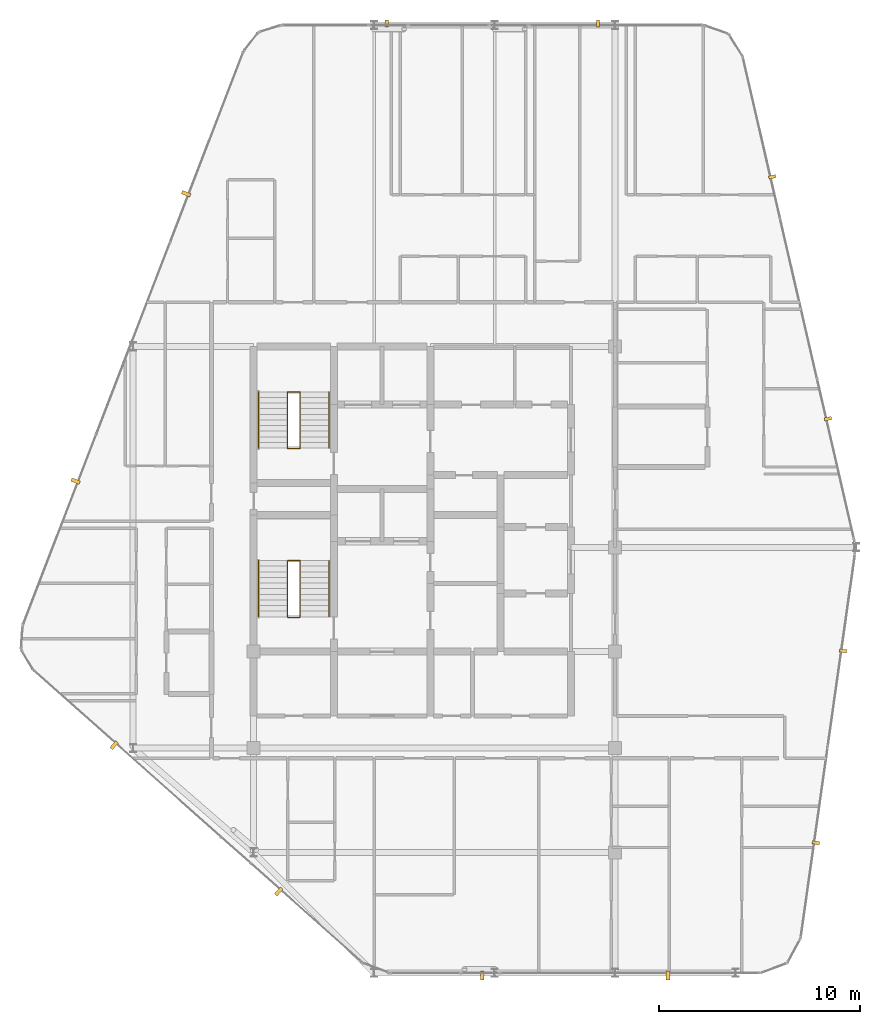
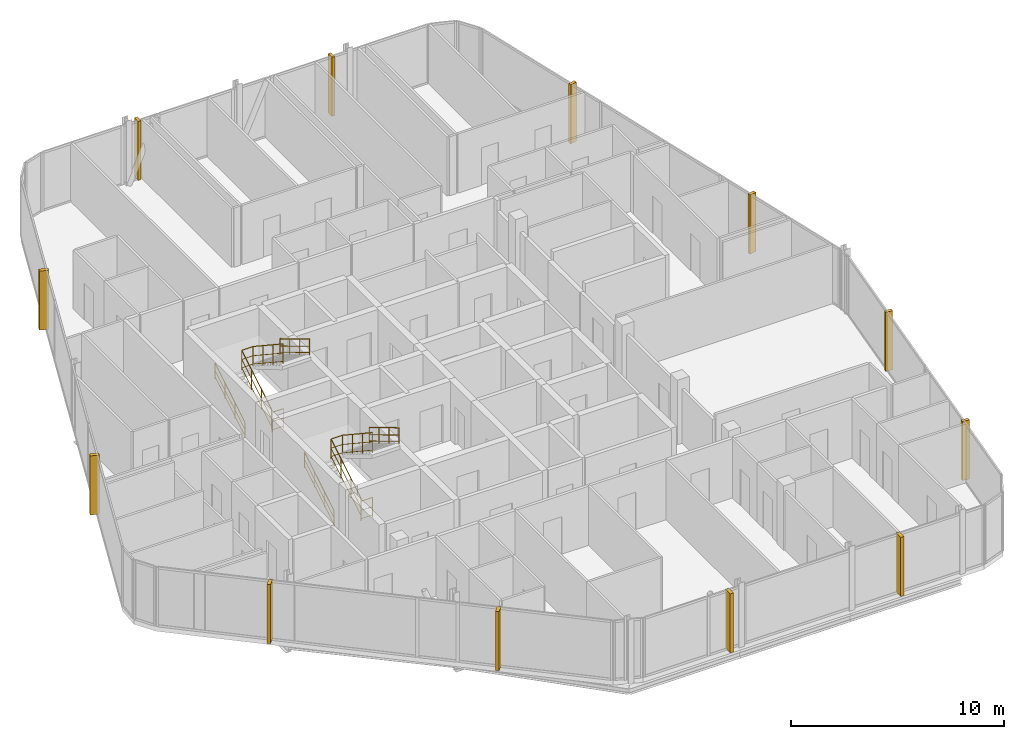
# One storey, part 28 of 28: 12 coverings, 8 railings.
"""IFC4 building model written with IfcOpenShell, lengths in metres."""

from ifc_helpers import new_model, si_unit, direction, frame, origin, origin_2d, place, context, subcontext, project, spatial, rectangle, circle, extrude, material, layer, layer_set, type_object, element, save


model = new_model("IFC4")

# Units and contexts
model_context = context("Model", 3, precision=1e-05, world=origin(), true_north=direction((0.0, 1.0)))
body_context = subcontext(model_context, "Body", "Model", "MODEL_VIEW")
ifc_project = project(units=[si_unit("LENGTHUNIT", "METRE"), si_unit("AREAUNIT", "SQUARE_METRE"), si_unit("VOLUMEUNIT", "CUBIC_METRE"), si_unit("PLANEANGLEUNIT", "RADIAN"), si_unit("MASSUNIT", "GRAM", prefix="KILO")], contexts=[model_context])

# Site, building, storey
site_placement = place(None, origin())
site = spatial("IfcSite", under=ifc_project, at=site_placement, CompositionType="ELEMENT")
building_placement = place(site_placement, origin())
building = spatial("IfcBuilding", under=site, at=building_placement, Name="Keshet Zoharim Tower", CompositionType="ELEMENT")
storey_placement = place(building_placement, frame((0.0, 0.0, 303.60009765625)))
storey = spatial("IfcBuildingStorey", under=building, at=storey_placement, Name="L76", CompositionType="ELEMENT", Elevation=303.60009765625)

# Coverings
ifc_material_1 = material(Name="Concrete C50/60 precast", Category="concrete")
covering_type_1 = type_object("IfcCoveringType", Name="FIN-SOL-360", PredefinedType="CLADDING", material=ifc_material_1)
for number, where, z_axis, x_axis, name in (
    (1, (21.633056640625, 53.97998046875, 0.0), (0.0, 0.0, 1.0), (1.0, 0.0, 0.0), "L76 Vertical Precast Solar Fin 03"),
    (2, (32.14990234375, 53.97998046875, 0.0), (0.0, 0.0, 1.0), (1.0, 0.0, 0.0), "L76 Vertical Precast Solar Fin 04"),
    (3, (40.824951171875, 46.345947265625, 0.0), (0.0, 0.0, 1.0), (0.224829963294, -0.974398012932, 0.0), "L76 Vertical Precast Solar Fin 05"),
    (4, (43.60400390625, 34.302001953125, 0.0), (0.0, 0.0, 1.0), (0.224829963294, -0.974398012932, 0.0), "L76 Vertical Precast Solar Fin 06"),
    (5, (44.35107421875, 22.742919921875, 0.0), (0.0, 0.0, 1.0), (-0.140137464177, -0.990132057422, 0.0), "L76 Vertical Precast Solar Fin 07"),
    (6, (42.998046875, 13.18701171875, 0.0), (0.0, 0.0, 1.0), (-0.140137464177, -0.990132057422, 0.0), "L76 Vertical Precast Solar Fin 08"),
):
    element("IfcCovering", number, at=place(storey_placement, frame(where, z_axis=z_axis, x_axis=x_axis)), inside=storey, type_object=covering_type_1, Name=name, PredefinedType="CLADDING", context=body_context, shape_type="SweptSolid", body=[
        extrude(rectangle(XDim=0.159912109375, YDim=0.360107421875, at=origin_2d()), origin(), (0.0, 0.0, 1.0), 3.389892578125),
    ])
covering_type_2 = type_object("IfcCoveringType", Name="FIN-SOL-450", PredefinedType="CLADDING", material=ifc_material_1)
for number, where, z_axis, x_axis, name in (
    (7, (6.133056640625, 31.194091796875, 0.0), (0.0, 0.0, 1.0), (0.358990003907, 0.933341404361, 0.0), "L76 Vertical Precast Solar Fin 01"),
    (8, (11.637939453125, 45.507080078125, 0.0), (0.0, 0.0, 1.0), (0.358990003907, 0.933341404361, 0.0), "L76 Vertical Precast Solar Fin 02"),
    (9, (35.636962890625, 6.574951171875, 0.0), (0.0, 0.0, 1.0), (-1.0, 0.0, 0.0), "L76 Vertical Precast Solar Fin 09"),
    (10, (26.385986328125, 6.574951171875, 0.0), (0.0, 0.0, 1.0), (-1.0, 0.0, 0.0), "L76 Vertical Precast Solar Fin 10"),
    (11, (16.25, 10.7548828125, 0.0), (0.0, 0.0, 1.0), (-0.747411833563, 0.66436100958, 0.0), "L76 Vertical Precast Solar Fin 11"),
    (12, (8.051025390625, 18.04296875, 0.0), (0.0, 0.0, 1.0), (-0.747411833563, 0.66436100958, 0.0), "L76 Vertical Precast Solar Fin 12"),
):
    element("IfcCovering", number, at=place(storey_placement, frame(where, z_axis=z_axis, x_axis=x_axis)), inside=storey, type_object=covering_type_2, Name=name, PredefinedType="CLADDING", context=body_context, shape_type="SweptSolid", body=[
        extrude(rectangle(XDim=0.179931640625, YDim=0.449951171875, at=origin_2d()), origin(), (0.0, 0.0, 1.0), 3.389892578125),
    ])

# Railings
ifc_material_2 = material(Name="Steel S355", Category="steel")
ifc_layer_1 = layer(ifc_material_2, 0.050048828125)
ifc_layer_set_1 = layer_set([ifc_layer_1], Name="Steel S355")
railing_type_1 = type_object("IfcRailingType", Name="RL-HND-092", PredefinedType="HANDRAIL", material=ifc_layer_set_1)
railing_1_placement = place(storey_placement, frame((15.239990234375, 24.43994140625, 0.168212890625)))
element("IfcRailing", 13, at=railing_1_placement, inside=storey, type_object=railing_type_1, Name="L76 ST-01 Flight 1 Wall Handrail", PredefinedType="HANDRAIL", context=body_context, shape_type="SweptSolid", body=[
    extrude(circle(Radius=0.02392578125, at=origin_2d()), frame((0.0, 0.0, 0.89599609375), z_axis=(0.0, 0.857275202839, 0.514858452973), x_axis=(-1.0, 0.0, 0.0)), (0.0, 0.0, 1.0), 3.26611328125),
    extrude(circle(Radius=0.01611328125, at=origin_2d()), frame((0.0, 0.0, 0.478271484375), z_axis=(0.0, 0.857275202839, 0.514858452973), x_axis=(-1.0, 0.0, 0.0)), (0.0, 0.0, 1.0), 3.26611328125),
    extrude(circle(Radius=0.01611328125, at=origin_2d()), frame((0.0, 0.0, 0.1201171875), z_axis=(0.0, 0.857275202839, 0.514858452973), x_axis=(-1.0, 0.0, 0.0)), (0.0, 0.0, 1.0), 3.26611328125),
    extrude(circle(Radius=0.02099609375, at=origin_2d()), origin(), (0.0, 0.0, 1.0), 0.871826171875),
    extrude(circle(Radius=0.02099609375, at=origin_2d()), frame((0.0, 0.933349609375, 0.560546875)), (0.0, 0.0, 1.0), 0.871826171875),
    extrude(circle(Radius=0.02099609375, at=origin_2d()), frame((0.0, 1.86669921875, 1.12109375)), (0.0, 0.0, 1.0), 0.871826171875),
    extrude(circle(Radius=0.02099609375, at=origin_2d()), frame((0.0, 2.800048828125, 1.681640625)), (0.0, 0.0, 1.0), 0.871826171875),
])
railing_2_placement = place(storey_placement, frame((18.760009765625, 27.239990234375, 2.01806640625)))
element("IfcRailing", 14, at=railing_2_placement, inside=storey, type_object=railing_type_1, Name="L76 ST-01 Flight 2 Wall Handrail", PredefinedType="HANDRAIL", context=body_context, shape_type="SweptSolid", body=[
    extrude(circle(Radius=0.02392578125, at=origin_2d()), frame((0.0, 0.0, 0.89599609375), z_axis=(0.0, -0.857242210791, 0.514913383045), x_axis=(1.0, 0.0, 0.0)), (0.0, 0.0, 1.0), 3.266357421875),
    extrude(circle(Radius=0.01611328125, at=origin_2d()), frame((0.0, 0.0, 0.478271484375), z_axis=(0.0, -0.857242210791, 0.514913383045), x_axis=(1.0, 0.0, 0.0)), (0.0, 0.0, 1.0), 3.266357421875),
    extrude(circle(Radius=0.01611328125, at=origin_2d()), frame((0.0, 0.0, 0.1201171875), z_axis=(0.0, -0.857242210791, 0.514913383045), x_axis=(1.0, 0.0, 0.0)), (0.0, 0.0, 1.0), 3.266357421875),
    extrude(circle(Radius=0.02099609375, at=origin_2d()), origin(), (0.0, 0.0, 1.0), 0.871826171875),
    extrude(circle(Radius=0.02099609375, at=origin_2d()), frame((0.0, -0.933349609375, 0.560546875)), (0.0, 0.0, 1.0), 0.871826171875),
    extrude(circle(Radius=0.02099609375, at=origin_2d()), frame((0.0, -1.86669921875, 1.121337890625)), (0.0, 0.0, 1.0), 0.871826171875),
    extrude(circle(Radius=0.02099609375, at=origin_2d()), frame((0.0, -2.800048828125, 1.681884765625)), (0.0, 0.0, 1.0), 0.871826171875),
])
railing_3_placement = place(storey_placement, frame((15.239990234375, 32.840087890625, 0.168212890625)))
element("IfcRailing", 15, at=railing_3_placement, inside=storey, type_object=railing_type_1, Name="L76 ST-02 Flight 1 Wall Handrail", PredefinedType="HANDRAIL", context=body_context, shape_type="SweptSolid", body=[
    extrude(circle(Radius=0.02392578125, at=origin_2d()), frame((0.0, 0.0, 0.89599609375), z_axis=(0.0, 0.857255387014, 0.514891446264), x_axis=(-1.0, 0.0, 0.0)), (0.0, 0.0, 1.0), 3.26611328125),
    extrude(circle(Radius=0.01611328125, at=origin_2d()), frame((0.0, 0.0, 0.478271484375), z_axis=(0.0, 0.857255387014, 0.514891446264), x_axis=(-1.0, 0.0, 0.0)), (0.0, 0.0, 1.0), 3.26611328125),
    extrude(circle(Radius=0.01611328125, at=origin_2d()), frame((0.0, 0.0, 0.1201171875), z_axis=(0.0, 0.857255387014, 0.514891446264), x_axis=(-1.0, 0.0, 0.0)), (0.0, 0.0, 1.0), 3.26611328125),
    extrude(circle(Radius=0.02099609375, at=origin_2d()), origin(), (0.0, 0.0, 1.0), 0.871826171875),
    extrude(circle(Radius=0.02099609375, at=origin_2d()), frame((0.0, 0.933349609375, 0.560546875)), (0.0, 0.0, 1.0), 0.871826171875),
    extrude(circle(Radius=0.02099609375, at=origin_2d()), frame((0.0, 1.866455078125, 1.12109375)), (0.0, 0.0, 1.0), 0.871826171875),
    extrude(circle(Radius=0.02099609375, at=origin_2d()), frame((0.0, 2.7998046875, 1.681640625)), (0.0, 0.0, 1.0), 0.871826171875),
])
railing_4_placement = place(storey_placement, frame((18.760009765625, 35.639892578125, 2.01806640625)))
element("IfcRailing", 16, at=railing_4_placement, inside=storey, type_object=railing_type_1, Name="L76 ST-02 Flight 2 Wall Handrail", PredefinedType="HANDRAIL", context=body_context, shape_type="SweptSolid", body=[
    extrude(circle(Radius=0.02392578125, at=origin_2d()), frame((0.0, 0.0, 0.89599609375), z_axis=(0.0, -0.857222391501, 0.514946377315), x_axis=(1.0, 0.0, 0.0)), (0.0, 0.0, 1.0), 3.26611328125),
    extrude(circle(Radius=0.01611328125, at=origin_2d()), frame((0.0, 0.0, 0.478271484375), z_axis=(0.0, -0.857222391501, 0.514946377315), x_axis=(1.0, 0.0, 0.0)), (0.0, 0.0, 1.0), 3.26611328125),
    extrude(circle(Radius=0.01611328125, at=origin_2d()), frame((0.0, 0.0, 0.1201171875), z_axis=(0.0, -0.857222391501, 0.514946377315), x_axis=(1.0, 0.0, 0.0)), (0.0, 0.0, 1.0), 3.26611328125),
    extrude(circle(Radius=0.02099609375, at=origin_2d()), origin(), (0.0, 0.0, 1.0), 0.871826171875),
    extrude(circle(Radius=0.02099609375, at=origin_2d()), frame((0.0, -0.933349609375, 0.560546875)), (0.0, 0.0, 1.0), 0.871826171875),
    extrude(circle(Radius=0.02099609375, at=origin_2d()), frame((0.0, -1.866455078125, 1.121337890625)), (0.0, 0.0, 1.0), 0.871826171875),
    extrude(circle(Radius=0.02099609375, at=origin_2d()), frame((0.0, -2.7998046875, 1.681884765625)), (0.0, 0.0, 1.0), 0.871826171875),
])
ifc_layer_2 = layer(ifc_material_2, 0.06005859375)
ifc_layer_set_2 = layer_set([ifc_layer_2], Name="Steel S355")
railing_type_2 = type_object("IfcRailingType", Name="RL-STG-115", PredefinedType="GUARDRAIL", material=ifc_layer_set_2)
railing_5_placement = place(storey_placement, frame((16.68994140625, 24.43994140625, 0.168212890625)))
element("IfcRailing", 17, at=railing_5_placement, inside=storey, type_object=railing_type_2, Name="L76 ST-01 Inner Well Guardrail", PredefinedType="GUARDRAIL", context=body_context, shape_type="SweptSolid", body=[
    extrude(circle(Radius=0.02392578125, at=origin_2d()), frame((0.0, 0.0, 1.1259765625), z_axis=(0.0, 0.857275202839, 0.514858452973), x_axis=(-1.0, 0.0, 0.0)), (0.0, 0.0, 1.0), 3.26611328125),
    extrude(circle(Radius=0.01611328125, at=origin_2d()), frame((0.0, 0.0, 0.597900390625), z_axis=(0.0, 0.857275202839, 0.514858452973), x_axis=(-1.0, 0.0, 0.0)), (0.0, 0.0, 1.0), 3.26611328125),
    extrude(circle(Radius=0.01611328125, at=origin_2d()), frame((0.0, 0.0, 0.1201171875), z_axis=(0.0, 0.857275202839, 0.514858452973), x_axis=(-1.0, 0.0, 0.0)), (0.0, 0.0, 1.0), 3.26611328125),
    extrude(circle(Radius=0.02392578125, at=origin_2d()), frame((0.0, 2.800048828125, 2.8076171875), z_axis=(1.0, 0.0, 0.0), x_axis=(0.0, 1.0, 0.0)), (0.0, 0.0, 1.0), 0.6201171875),
    extrude(circle(Radius=0.01611328125, at=origin_2d()), frame((0.0, 2.800048828125, 2.279541015625), z_axis=(1.0, 0.0, 0.0), x_axis=(0.0, 1.0, 0.0)), (0.0, 0.0, 1.0), 0.6201171875),
    extrude(circle(Radius=0.01611328125, at=origin_2d()), frame((0.0, 2.800048828125, 1.8017578125), z_axis=(1.0, 0.0, 0.0), x_axis=(0.0, 1.0, 0.0)), (0.0, 0.0, 1.0), 0.6201171875),
    extrude(circle(Radius=0.02392578125, at=origin_2d()), frame((0.6201171875, 2.800048828125, 2.8076171875), z_axis=(0.0, -0.834326358476, 0.551270829586), x_axis=(1.0, 0.0, 0.0)), (0.0, 0.0, 1.0), 3.35595703125),
    extrude(circle(Radius=0.01611328125, at=origin_2d()), frame((0.6201171875, 2.800048828125, 2.279541015625), z_axis=(0.0, -0.834326358476, 0.551270829586), x_axis=(1.0, 0.0, 0.0)), (0.0, 0.0, 1.0), 3.35595703125),
    extrude(circle(Radius=0.01611328125, at=origin_2d()), frame((0.6201171875, 2.800048828125, 1.8017578125), z_axis=(0.0, -0.834326358476, 0.551270829586), x_axis=(1.0, 0.0, 0.0)), (0.0, 0.0, 1.0), 3.35595703125),
    extrude(circle(Radius=0.02099609375, at=origin_2d()), origin(), (0.0, 0.0, 1.0), 1.101806640625),
    extrude(circle(Radius=0.02099609375, at=origin_2d()), frame((0.0, 0.933349609375, 0.560546875)), (0.0, 0.0, 1.0), 1.101806640625),
    extrude(circle(Radius=0.02099609375, at=origin_2d()), frame((0.0, 1.86669921875, 1.12109375)), (0.0, 0.0, 1.0), 1.101806640625),
    extrude(circle(Radius=0.02099609375, at=origin_2d()), frame((0.0, 2.800048828125, 1.681640625)), (0.0, 0.0, 1.0), 1.101806640625),
    extrude(circle(Radius=0.02099609375, at=origin_2d()), frame((0.6201171875, 2.800048828125, 1.681640625)), (0.0, 0.0, 1.0), 1.101806640625),
    extrude(circle(Radius=0.02099609375, at=origin_2d()), frame((0.6201171875, 1.86669921875, 2.29833984375)), (0.0, 0.0, 1.0), 1.101806640625),
    extrude(circle(Radius=0.02099609375, at=origin_2d()), frame((0.6201171875, 0.933349609375, 2.9150390625)), (0.0, 0.0, 1.0), 1.101806640625),
    extrude(circle(Radius=0.02099609375, at=origin_2d()), frame((0.6201171875, 0.0, 3.53173828125)), (0.0, 0.0, 1.0), 1.101806640625),
])
railing_6_placement = place(storey_placement, frame((16.68994140625, 24.409912109375, 0.0)))
element("IfcRailing", 18, at=railing_6_placement, inside=storey, type_object=railing_type_2, Name="L76 ST-01 Stairwell Floor Guardrail", PredefinedType="GUARDRAIL", context=body_context, shape_type="SweptSolid", body=[
    extrude(circle(Radius=0.02392578125, at=origin_2d()), frame((0.0, 0.0, 1.1259765625), z_axis=(1.0, 0.0, 0.0), x_axis=(0.0, 1.0, 0.0)), (0.0, 0.0, 1.0), 0.6201171875),
    extrude(circle(Radius=0.01611328125, at=origin_2d()), frame((0.0, 0.0, 0.597900390625), z_axis=(1.0, 0.0, 0.0), x_axis=(0.0, 1.0, 0.0)), (0.0, 0.0, 1.0), 0.6201171875),
    extrude(circle(Radius=0.01611328125, at=origin_2d()), frame((0.0, 0.0, 0.1201171875), z_axis=(1.0, 0.0, 0.0), x_axis=(0.0, 1.0, 0.0)), (0.0, 0.0, 1.0), 0.6201171875),
    extrude(circle(Radius=0.02099609375, at=origin_2d()), origin(), (0.0, 0.0, 1.0), 1.101806640625),
    extrude(circle(Radius=0.02099609375, at=origin_2d()), frame((0.6201171875, 0.0, 0.0)), (0.0, 0.0, 1.0), 1.101806640625),
])
railing_7_placement = place(storey_placement, frame((16.68994140625, 32.840087890625, 0.168212890625)))
element("IfcRailing", 19, at=railing_7_placement, inside=storey, type_object=railing_type_2, Name="L76 ST-02 Inner Well Guardrail", PredefinedType="GUARDRAIL", context=body_context, shape_type="SweptSolid", body=[
    extrude(circle(Radius=0.02392578125, at=origin_2d()), frame((0.0, 0.0, 1.1259765625), z_axis=(0.0, 0.857255387014, 0.514891446264), x_axis=(-1.0, 0.0, 0.0)), (0.0, 0.0, 1.0), 3.26611328125),
    extrude(circle(Radius=0.01611328125, at=origin_2d()), frame((0.0, 0.0, 0.597900390625), z_axis=(0.0, 0.857255387014, 0.514891446264), x_axis=(-1.0, 0.0, 0.0)), (0.0, 0.0, 1.0), 3.26611328125),
    extrude(circle(Radius=0.01611328125, at=origin_2d()), frame((0.0, 0.0, 0.1201171875), z_axis=(0.0, 0.857255387014, 0.514891446264), x_axis=(-1.0, 0.0, 0.0)), (0.0, 0.0, 1.0), 3.26611328125),
    extrude(circle(Radius=0.02392578125, at=origin_2d()), frame((0.0, 2.7998046875, 2.8076171875), z_axis=(1.0, 0.0, 0.0), x_axis=(0.0, 1.0, 0.0)), (0.0, 0.0, 1.0), 0.6201171875),
    extrude(circle(Radius=0.01611328125, at=origin_2d()), frame((0.0, 2.7998046875, 2.279541015625), z_axis=(1.0, 0.0, 0.0), x_axis=(0.0, 1.0, 0.0)), (0.0, 0.0, 1.0), 0.6201171875),
    extrude(circle(Radius=0.01611328125, at=origin_2d()), frame((0.0, 2.7998046875, 1.8017578125), z_axis=(1.0, 0.0, 0.0), x_axis=(0.0, 1.0, 0.0)), (0.0, 0.0, 1.0), 0.6201171875),
    extrude(circle(Radius=0.02392578125, at=origin_2d()), frame((0.6201171875, 2.7998046875, 2.8076171875), z_axis=(0.0, -0.834304248922, 0.551304290053), x_axis=(1.0, 0.0, 0.0)), (0.0, 0.0, 1.0), 3.35595703125),
    extrude(circle(Radius=0.01611328125, at=origin_2d()), frame((0.6201171875, 2.7998046875, 2.279541015625), z_axis=(0.0, -0.834304248922, 0.551304290053), x_axis=(1.0, 0.0, 0.0)), (0.0, 0.0, 1.0), 3.35595703125),
    extrude(circle(Radius=0.01611328125, at=origin_2d()), frame((0.6201171875, 2.7998046875, 1.8017578125), z_axis=(0.0, -0.834304248922, 0.551304290053), x_axis=(1.0, 0.0, 0.0)), (0.0, 0.0, 1.0), 3.35595703125),
    extrude(circle(Radius=0.02099609375, at=origin_2d()), origin(), (0.0, 0.0, 1.0), 1.101806640625),
    extrude(circle(Radius=0.02099609375, at=origin_2d()), frame((0.0, 0.933349609375, 0.560546875)), (0.0, 0.0, 1.0), 1.101806640625),
    extrude(circle(Radius=0.02099609375, at=origin_2d()), frame((0.0, 1.866455078125, 1.12109375)), (0.0, 0.0, 1.0), 1.101806640625),
    extrude(circle(Radius=0.02099609375, at=origin_2d()), frame((0.0, 2.7998046875, 1.681640625)), (0.0, 0.0, 1.0), 1.101806640625),
    extrude(circle(Radius=0.02099609375, at=origin_2d()), frame((0.6201171875, 2.7998046875, 1.681640625)), (0.0, 0.0, 1.0), 1.101806640625),
    extrude(circle(Radius=0.02099609375, at=origin_2d()), frame((0.6201171875, 1.866455078125, 2.29833984375)), (0.0, 0.0, 1.0), 1.101806640625),
    extrude(circle(Radius=0.02099609375, at=origin_2d()), frame((0.6201171875, 0.933349609375, 2.9150390625)), (0.0, 0.0, 1.0), 1.101806640625),
    extrude(circle(Radius=0.02099609375, at=origin_2d()), frame((0.6201171875, 0.0, 3.53173828125)), (0.0, 0.0, 1.0), 1.101806640625),
])
railing_8_placement = place(storey_placement, frame((16.68994140625, 32.81005859375, 0.0)))
element("IfcRailing", 20, at=railing_8_placement, inside=storey, type_object=railing_type_2, Name="L76 ST-02 Stairwell Floor Guardrail", PredefinedType="GUARDRAIL", context=body_context, shape_type="SweptSolid", body=[
    extrude(circle(Radius=0.02392578125, at=origin_2d()), frame((0.0, 0.0, 1.1259765625), z_axis=(1.0, 0.0, 0.0), x_axis=(0.0, 1.0, 0.0)), (0.0, 0.0, 1.0), 0.6201171875),
    extrude(circle(Radius=0.01611328125, at=origin_2d()), frame((0.0, 0.0, 0.597900390625), z_axis=(1.0, 0.0, 0.0), x_axis=(0.0, 1.0, 0.0)), (0.0, 0.0, 1.0), 0.6201171875),
    extrude(circle(Radius=0.01611328125, at=origin_2d()), frame((0.0, 0.0, 0.1201171875), z_axis=(1.0, 0.0, 0.0), x_axis=(0.0, 1.0, 0.0)), (0.0, 0.0, 1.0), 0.6201171875),
    extrude(circle(Radius=0.02099609375, at=origin_2d()), origin(), (0.0, 0.0, 1.0), 1.101806640625),
    extrude(circle(Radius=0.02099609375, at=origin_2d()), frame((0.6201171875, 0.0, 0.0)), (0.0, 0.0, 1.0), 1.101806640625),
])

save(model, "model.ifc")
